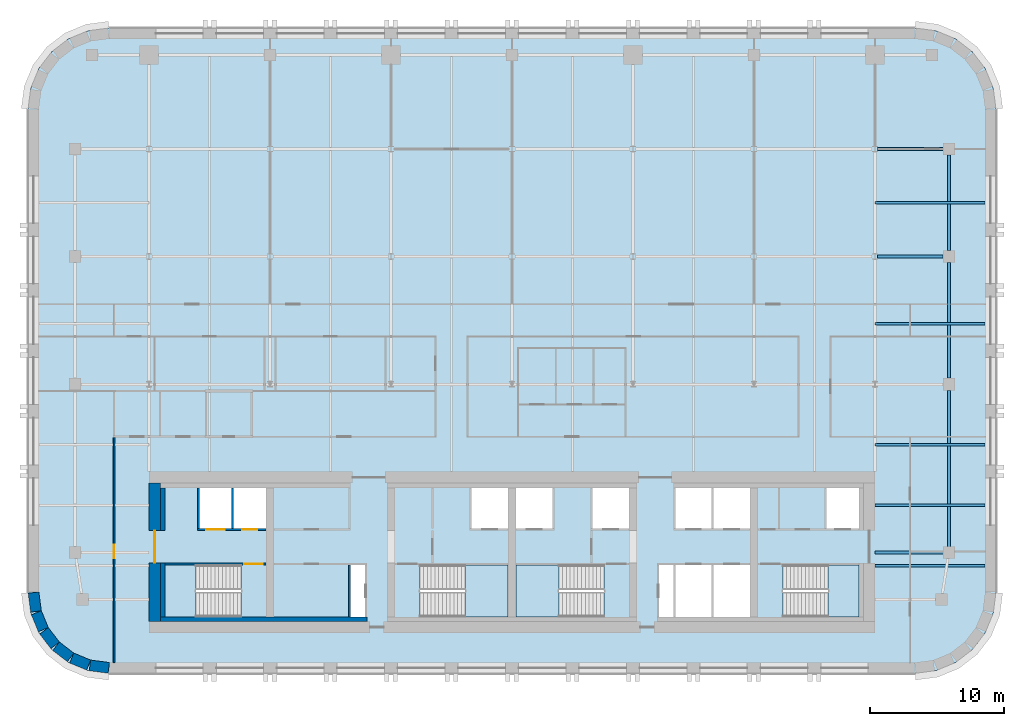
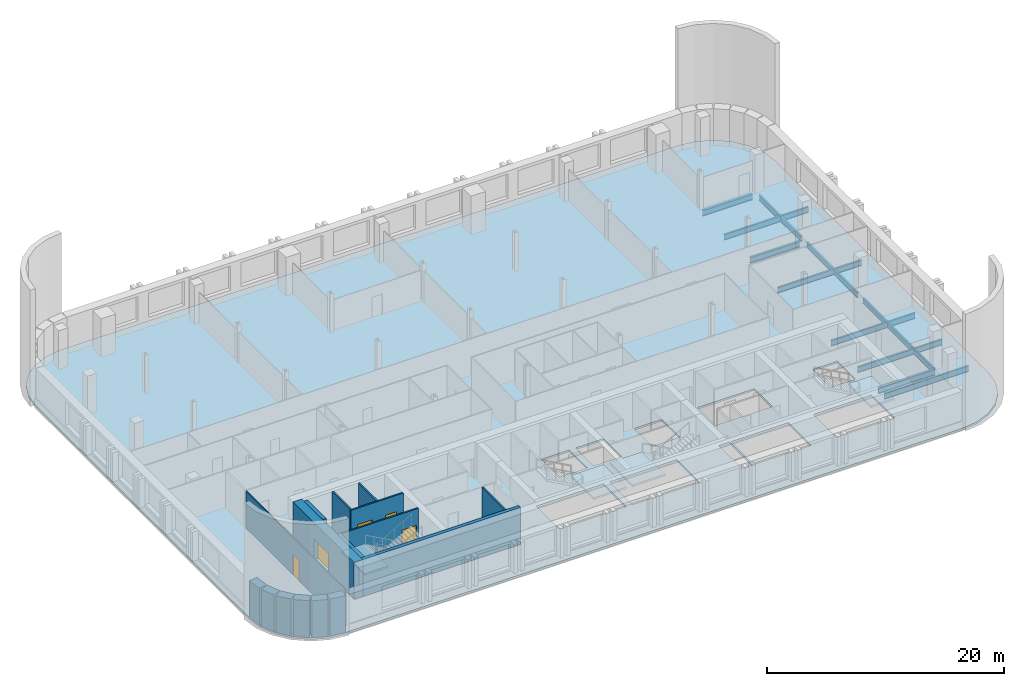
# One storey, part 2 of 9: 16 walls, 11 beams, 5 doors, 5 slabs, 5 openings, 4 elements without a shape of their own.
"""IFC4 building model written with IfcOpenShell, lengths in metres."""

import ifcopenshell
import ifcopenshell.guid

model = None  # the IFC model being written
_history = None  # IfcOwnerHistory: only IFC2X3 demands one
_inside = {}  # id of a spatial element -> (the spatial element, [elements in it])
_under = {}  # id of a project, library or spatial element -> (it, [spatial elements below it])
_declared = {}  # id of a project -> (the project, [libraries it declares])
_typed = {}  # id of a type object -> (the type object, [elements of that type])
_made_of = {}  # id of a material, layer set ... -> (it, [elements and type objects made of it])


def new_model(schema):
    """Start an empty IFC model of exactly this schema.

    Asked for "IFC4X3", IfcOpenShell would pick the latest addendum, in which some entities
    have other attributes; the version numbers below select the first issue.
    IFC2X3 requires an IfcOwnerHistory on every rooted entity: one is made here for all.
    """
    global model, _history
    if schema == "IFC4X3":
        model = ifcopenshell.file(schema_version=(4, 3, 0, 0))
    else:
        model = ifcopenshell.file(schema=schema)
    _inside.clear()
    _under.clear()
    _declared.clear()
    _typed.clear()
    _made_of.clear()
    _history = None
    if model.schema == "IFC2X3":
        org = make("IfcOrganization", Name="unknown")
        user = make(
            "IfcPersonAndOrganization",
            ThePerson=make("IfcPerson", FamilyName="unknown"),
            TheOrganization=org,
        )
        app = make(
            "IfcApplication",
            ApplicationDeveloper=org,
            Version="unknown",
            ApplicationFullName="unknown",
            ApplicationIdentifier="unknown",
        )
        _history = make(
            "IfcOwnerHistory",
            OwningUser=user,
            OwningApplication=app,
            ChangeAction="ADDED",
            CreationDate=0,
        )
    return model


def make(cls, **values):
    """One entity of the class cls with the attributes given. An attribute that is None is left unset."""
    return model.create_entity(
        cls, **{name: value for name, value in values.items() if value is not None}
    )


def rooted(cls, **values):
    """An entity with a GlobalId (a new one), such as an element, a storey or a relation."""
    return make(cls, GlobalId=ifcopenshell.guid.new(), OwnerHistory=_history, **values)


def si_unit(unit_type, name, prefix=None):
    """IfcSIUnit, for example si_unit("LENGTHUNIT", "METRE", prefix="MILLI")."""
    return make("IfcSIUnit", UnitType=unit_type, Prefix=prefix, Name=name)


def assignment(units):
    """IfcUnitAssignment: the units of a project."""
    return None if units is None else make("IfcUnitAssignment", Units=units)


def point(xyz):
    """IfcCartesianPoint."""
    return None if xyz is None else make("IfcCartesianPoint", Coordinates=xyz)


def direction(xyz):
    """IfcDirection."""
    return None if xyz is None else make("IfcDirection", DirectionRatios=xyz)


def frame(location, z_axis=None, x_axis=None):
    """IfcAxis2Placement3D, a coordinate frame: its origin and axes. An axis left out is left unset."""
    return make(
        "IfcAxis2Placement3D",
        Location=point(location),
        Axis=direction(z_axis),
        RefDirection=direction(x_axis),
    )


def frame_2d(location, x_axis=None):
    """IfcAxis2Placement2D, a coordinate frame in the plane: its origin and x axis."""
    return make(
        "IfcAxis2Placement2D", Location=point(location), RefDirection=direction(x_axis)
    )


def origin():
    """The frame at (0, 0, 0) with its axes left unset."""
    return frame((0.0, 0.0, 0.0))


def origin_2d():
    """The frame at (0, 0) in the plane with its x axis left unset."""
    return frame_2d((0.0, 0.0))


def place(relative_to, where):
    """IfcLocalPlacement: puts the frame where relative to a parent placement (None: the world)."""
    return make(
        "IfcLocalPlacement", PlacementRelTo=relative_to, RelativePlacement=where
    )


def context(
    kind, dimensions, precision=None, world=None, true_north=None, identifier=None
):
    """IfcGeometricRepresentationContext, for example the 3D "Model" context."""
    return make(
        "IfcGeometricRepresentationContext",
        ContextIdentifier=identifier,
        ContextType=kind,
        CoordinateSpaceDimension=dimensions,
        Precision=precision,
        WorldCoordinateSystem=world,
        TrueNorth=true_north,
    )


def subcontext(parent, identifier, kind, view, scale=None):
    """IfcGeometricRepresentationSubContext, for example "Body" below "Model"."""
    return make(
        "IfcGeometricRepresentationSubContext",
        ContextIdentifier=identifier,
        ContextType=kind,
        ParentContext=parent,
        TargetScale=scale,
        TargetView=view,
    )


def project(units=None, contexts=None):
    """IfcProject with its units and contexts."""
    return rooted(
        "IfcProject",
        Name="project",
        RepresentationContexts=contexts,
        UnitsInContext=assignment(units),
    )


def spatial(cls, under=None, at=None, **own):
    """A site, building, storey or space (cls), placed at a placement, below another one or the project."""
    s = rooted(cls, ObjectPlacement=at, **own)
    if under is not None:
        _under.setdefault(under.id(), (under, []))[1].append(s)
    return s


def polyline(points):
    """IfcPolyline through the points."""
    return make("IfcPolyline", Points=[point(p) for p in points])


def profile(cls, at=None, kind="AREA", **sizes):
    """A parametric profile (cls). Its sizes go by their IFC names, for example OverallWidth=200.0."""
    return make(cls, ProfileType=kind, Position=at, **sizes)


def rectangle(**sizes):
    """IfcRectangleProfileDef."""
    return profile("IfcRectangleProfileDef", **sizes)


def i_section(**sizes):
    """IfcIShapeProfileDef."""
    return profile("IfcIShapeProfileDef", **sizes)


def outline(outer, holes=None, kind="AREA"):
    """IfcArbitraryClosedProfileDef: a profile drawn as a closed curve; with holes, ...WithVoids."""
    if holes is None:
        return make("IfcArbitraryClosedProfileDef", ProfileType=kind, OuterCurve=outer)
    return make(
        "IfcArbitraryProfileDefWithVoids",
        ProfileType=kind,
        OuterCurve=outer,
        InnerCurves=holes,
    )


def extrude(swept, where, along, depth):
    """IfcExtrudedAreaSolid: the profile swept, set in the frame where, extruded along a direction by depth."""
    return make(
        "IfcExtrudedAreaSolid",
        SweptArea=swept,
        Position=where,
        ExtrudedDirection=direction(along),
        Depth=depth,
    )


def shape(context_of_items, identifier, shape_type, items):
    """IfcShapeRepresentation: the items that make up one representation, for example the "Body"."""
    return make(
        "IfcShapeRepresentation",
        ContextOfItems=context_of_items,
        RepresentationIdentifier=identifier,
        RepresentationType=shape_type,
        Items=items,
    )


def material(Name=None, Category=None):
    """IfcMaterial."""
    return make("IfcMaterial", Name=Name, Category=Category)


def layer(
    of_material, thickness, ventilated=None, Name=None, Category=None, Priority=None
):
    """IfcMaterialLayer: one layer of a wall or slab, of a material (None: an air gap)."""
    return make(
        "IfcMaterialLayer",
        Material=of_material,
        LayerThickness=thickness,
        IsVentilated=ventilated,
        Name=Name,
        Category=Category,
        Priority=Priority,
    )


def layer_set(layers, Name=None):
    """IfcMaterialLayerSet."""
    return make("IfcMaterialLayerSet", MaterialLayers=layers, LayerSetName=Name)


def material_profile(
    of_material, cross_section, Name=None, Category=None, Priority=None
):
    """IfcMaterialProfile: a cross section and its material."""
    return make(
        "IfcMaterialProfile",
        Name=Name,
        Material=of_material,
        Profile=cross_section,
        Priority=Priority,
        Category=Category,
    )


def profile_set(profiles, Name=None, composite=None):
    """IfcMaterialProfileSet."""
    return make(
        "IfcMaterialProfileSet",
        Name=Name,
        MaterialProfiles=profiles,
        CompositeProfile=composite,
    )


def made_of(thing, what):
    """Note that an element or type object is made of a material, layer set ...; save() writes the relation."""
    if what is not None:
        _made_of.setdefault(what.id(), (what, []))[1].append(thing)
    return thing


def type_object(cls, material=None, **own):
    """A type object (cls), such as IfcWallType, which elements share."""
    return made_of(rooted(cls, **own), material)


def element(
    cls,
    number,
    at=None,
    inside=None,
    cuts=None,
    type_object=None,
    material=None,
    context=None,
    identifier="Body",
    shape_type=None,
    held_by="IfcProductDefinitionShape",
    body=None,
    shapes=None,
    **own,
):
    """One element of the class cls, such as IfcWall. Its Tag is "e" and its number.

    at: its placement. inside: the storey or other place that contains it. cuts: it is an
    opening in that element (IfcRelVoidsElement). A single representation is given by context,
    identifier, shape_type and body (its items); several are given by shapes. held_by: the class
    of the entity that holds the representations. save() writes the other relations.
    """
    e = rooted(cls, Tag="e%d" % number, ObjectPlacement=at, **own)
    if body is not None:
        shapes = [shape(context, identifier, shape_type, body)]
    if shapes is not None:
        e.Representation = make(held_by, Representations=shapes)
    if inside is not None:
        _inside.setdefault(inside.id(), (inside, []))[1].append(e)
    if cuts is not None:
        rooted(
            "IfcRelVoidsElement", RelatingBuildingElement=cuts, RelatedOpeningElement=e
        )
    if type_object is not None:
        _typed.setdefault(type_object.id(), (type_object, []))[1].append(e)
    return made_of(e, material)


def fill(opening, filler):
    """IfcRelFillsElement: the door or window that sits in an opening."""
    return rooted(
        "IfcRelFillsElement",
        RelatingOpeningElement=opening,
        RelatedBuildingElement=filler,
    )


def aggregate(whole, parts):
    """IfcRelAggregates: a whole, such as a stair, and the parts it consists of."""
    return rooted("IfcRelAggregates", RelatingObject=whole, RelatedObjects=parts)


def save(model, path):
    """Write the relations noted so far, then the file.

    IfcRelAggregates (storeys below a building ...), IfcRelContainedInSpatialStructure (elements
    in a storey), IfcRelDefinesByType, IfcRelAssociatesMaterial and IfcRelDeclares: one each for
    every whole, place, type object, material and project.
    """
    for whole, parts in _under.values():
        aggregate(whole, parts)
    for where, things in _inside.values():
        rooted(
            "IfcRelContainedInSpatialStructure",
            RelatedElements=things,
            RelatingStructure=where,
        )
    for kind, things in _typed.values():
        rooted("IfcRelDefinesByType", RelatedObjects=things, RelatingType=kind)
    for what, things in _made_of.values():
        rooted("IfcRelAssociatesMaterial", RelatedObjects=things, RelatingMaterial=what)
    for by, libraries in _declared.values():
        rooted("IfcRelDeclares", RelatingContext=by, RelatedDefinitions=libraries)
    model.write(path)


model = new_model("IFC4")

# Units and contexts
model_context = context("Model", 3, precision=1e-05, world=origin(), true_north=direction((0.0, 1.0)))
body_context = subcontext(model_context, "Body", "Model", "MODEL_VIEW")
ifc_project = project(units=[si_unit("LENGTHUNIT", "METRE"), si_unit("AREAUNIT", "SQUARE_METRE"), si_unit("VOLUMEUNIT", "CUBIC_METRE"), si_unit("PLANEANGLEUNIT", "RADIAN"), si_unit("MASSUNIT", "GRAM", prefix="KILO")], contexts=[model_context])

# Site, building, storey
site_placement = place(None, origin())
site = spatial("IfcSite", under=ifc_project, at=site_placement, CompositionType="ELEMENT")
building_placement = place(site_placement, origin())
building = spatial("IfcBuilding", under=site, at=building_placement, Name="Zellij Exchange Tower", CompositionType="ELEMENT")
storey_placement = place(building_placement, frame((0.0, 0.0, 200.5)))
storey = spatial("IfcBuildingStorey", under=building, at=storey_placement, Name="L46", CompositionType="ELEMENT", Elevation=200.5)

# Beams
ifc_material_1 = material(Name="Structural steel ASTM A992 Gr 50", Category="steel")
ifc_material_profile_1 = material_profile(ifc_material_1, i_section(OverallWidth=0.177978515625, OverallDepth=0.599365234375, WebThickness=0.010009765625, FlangeThickness=0.012939453125, at=origin_2d()), Name="W24x55")
ifc_profile_set_1 = profile_set([ifc_material_profile_1], Name="Structural steel ASTM A992 Gr 50")
beam_type_1 = type_object("IfcBeamType", Name="STR-BEAM W24x55", PredefinedType="BEAM", material=ifc_profile_set_1)
for number, where, z_axis, x_axis, name in (
    (1, (27.0, -9.0, -0.499755859375), (1.0, 0.0, 0.0), (0.0, 1.0, 0.0), "B4"),
    (2, (27.0, -4.5, -0.499755859375), (1.0, 0.0, 0.0), (0.0, 1.0, 0.0), "B4"),
    (3, (27.0, 0.0, -0.499755859375), (1.0, 0.0, 0.0), (0.0, 1.0, 0.0), "B4"),
    (4, (27.0, 9.0, -0.499755859375), (1.0, 0.0, 0.0), (0.0, 1.0, 0.0), "B4"),
    (5, (27.0, 18.0, -0.499755859375), (1.0, 0.0, 0.0), (0.0, 1.0, 0.0), "B4"),
):
    element("IfcBeam", number, at=place(storey_placement, frame(where, z_axis=z_axis, x_axis=x_axis)), inside=storey, type_object=beam_type_1, Name=name, PredefinedType="BEAM", context=body_context, shape_type="SweptSolid", body=[
        extrude(i_section(OverallWidth=0.177978515625, OverallDepth=0.599365234375, WebThickness=0.010009765625, FlangeThickness=0.012939453125, at=origin_2d()), origin(), (0.0, 0.0, 1.0), 8.199951171875),
    ])
ifc_material_profile_2 = material_profile(ifc_material_1, i_section(OverallWidth=0.209228515625, OverallDepth=0.533447265625, WebThickness=0.01025390625, FlangeThickness=0.015625, at=origin_2d()), Name="W21x62")
ifc_profile_set_2 = profile_set([ifc_material_profile_2], Name="Structural steel ASTM A992 Gr 50")
beam_type_2 = type_object("IfcBeamType", Name="STR-EDGE GIRDER W21x62", PredefinedType="BEAM", material=ifc_profile_set_2)
beam_1_placement = place(storey_placement, frame((32.5, -8.0, -0.466796875), z_axis=(0.0, 1.0, 0.0), x_axis=(-1.0, 0.0, 0.0)))
element("IfcBeam", 6, at=beam_1_placement, inside=storey, type_object=beam_type_2, Name="EB3", PredefinedType="BEAM", context=body_context, shape_type="SweptSolid", body=[
    extrude(i_section(OverallWidth=0.209228515625, OverallDepth=0.533447265625, WebThickness=0.01025390625, FlangeThickness=0.015625, at=origin_2d()), origin(), (0.0, 0.0, 1.0), 12.050048828125),
])
beam_2_placement = place(storey_placement, frame((32.5, 4.949951171875, -0.466796875), z_axis=(0.0, 1.0, 0.0), x_axis=(-1.0, 0.0, 0.0)))
element("IfcBeam", 7, at=beam_2_placement, inside=storey, type_object=beam_type_2, Name="EB3", PredefinedType="BEAM", context=body_context, shape_type="SweptSolid", body=[
    extrude(i_section(OverallWidth=0.209228515625, OverallDepth=0.533447265625, WebThickness=0.01025390625, FlangeThickness=0.015625, at=origin_2d()), origin(), (0.0, 0.0, 1.0), 8.60009765625),
])
beam_3_placement = place(storey_placement, frame((32.5, 14.449951171875, -0.466796875), z_axis=(0.0, 1.0, 0.0), x_axis=(-1.0, 0.0, 0.0)))
element("IfcBeam", 8, at=beam_3_placement, inside=storey, type_object=beam_type_2, Name="EB3", PredefinedType="BEAM", context=body_context, shape_type="SweptSolid", body=[
    extrude(i_section(OverallWidth=0.209228515625, OverallDepth=0.533447265625, WebThickness=0.01025390625, FlangeThickness=0.015625, at=origin_2d()), origin(), (0.0, 0.0, 1.0), 7.10009765625),
])
ifc_material_profile_3 = material_profile(ifc_material_1, i_section(OverallWidth=0.228271484375, OverallDepth=0.607177734375, WebThickness=0.01123046875, FlangeThickness=0.017333984375, at=origin_2d()), Name="W24x76")
ifc_profile_set_3 = profile_set([ifc_material_profile_3], Name="Structural steel ASTM A992 Gr 50")
beam_type_3 = type_object("IfcBeamType", Name="STR-GIRDER W24x76", PredefinedType="BEAM", material=ifc_profile_set_3)
beam_4_placement = place(storey_placement, frame((27.0, -8.0, -0.50341796875), z_axis=(1.0, 0.0, 0.0), x_axis=(0.0, 1.0, 0.0)))
element("IfcBeam", 9, at=beam_4_placement, inside=storey, type_object=beam_type_3, Name="G2", PredefinedType="BEAM", context=body_context, shape_type="SweptSolid", body=[
    extrude(i_section(OverallWidth=0.228271484375, OverallDepth=0.607177734375, WebThickness=0.01123046875, FlangeThickness=0.017333984375, at=origin_2d()), origin(), (0.0, 0.0, 1.0), 5.5),
])
for number, where, z_axis, x_axis, name in (
    (10, (27.20458984375, 14.0, -0.50341796875), (1.0, 0.0, 0.0), (0.0, 1.0, 0.0), "G2"),
    (11, (27.20458984375, 22.0, -0.50341796875), (1.0, 0.0, 0.0), (0.0, 1.0, 0.0), "G2"),
):
    element("IfcBeam", number, at=place(storey_placement, frame(where, z_axis=z_axis, x_axis=x_axis)), inside=storey, type_object=beam_type_3, Name=name, PredefinedType="BEAM", context=body_context, shape_type="SweptSolid", body=[
        extrude(i_section(OverallWidth=0.228271484375, OverallDepth=0.607177734375, WebThickness=0.01123046875, FlangeThickness=0.017333984375, at=origin_2d()), origin(), (0.0, 0.0, 1.0), 4.845458984375),
    ])

# Stair, slab
ifc_material_2 = material(Name="Concrete C40/50", Category="concrete")
stair_type = type_object("IfcStairType", Name="CORE-ST exit stair 1850 wide", PredefinedType="HALF_TURN_STAIR", material=ifc_material_2)
stair_1_placement = place(storey_placement, origin())
stair_1 = element("IfcStair", 12, at=stair_1_placement, inside=storey, type_object=stair_type, Name="L46 exit stair ST1", PredefinedType="HALF_TURN_STAIR")
ifc_layer_1 = layer(ifc_material_2, 0.199951171875)
ifc_layer_set_1 = layer_set([ifc_layer_1], Name="Concrete C40/50")
slab_type_1 = type_object("IfcSlabType", Name="CORE-SL stair landing 200", PredefinedType="LANDING", material=ifc_layer_set_1)
slab_1_placement = place(storey_placement, frame((0.0, 0.0, 1.800048828125)))
slab_1 = element("IfcSlab", 13, at=slab_1_placement, type_object=slab_type_1, Name="ST1 landing 1", PredefinedType="LANDING", context=body_context, shape_type="SweptSolid", body=[
    extrude(outline(polyline([(-23.510009765625, -8.949951171875), (-25.800048828125, -8.949951171875), (-25.800048828125, -12.800048828125), (-23.510009765625, -12.800048828125), (-23.510009765625, -8.949951171875)])), origin(), (0.0, 0.0, 1.0), 0.199951171875),
])
aggregate(stair_1, [slab_1])

stair_2_placement = place(storey_placement, origin())
stair_2 = element("IfcStair", 14, at=stair_2_placement, inside=storey, type_object=stair_type, Name="L46 exit stair ST2", PredefinedType="HALF_TURN_STAIR")
slab_2_placement = place(storey_placement, frame((0.0, 0.0, 1.800048828125)))
slab_2 = element("IfcSlab", 15, at=slab_2_placement, type_object=slab_type_1, Name="ST2 landing 1", PredefinedType="LANDING", context=body_context, shape_type="SweptSolid", body=[
    extrude(outline(polyline([(-3.489990234375, -12.800048828125), (-0.300048828125, -12.800048828125), (-0.300048828125, -8.949951171875), (-3.489990234375, -8.949951171875), (-3.489990234375, -12.800048828125)])), origin(), (0.0, 0.0, 1.0), 0.199951171875),
])
aggregate(stair_2, [slab_2])

stair_3_placement = place(storey_placement, origin())
stair_3 = element("IfcStair", 16, at=stair_3_placement, inside=storey, type_object=stair_type, Name="L46 exit stair ST3", PredefinedType="HALF_TURN_STAIR")
slab_3_placement = place(storey_placement, frame((0.0, 0.0, 1.800048828125)))
slab_3 = element("IfcSlab", 17, at=slab_3_placement, type_object=slab_type_1, Name="ST3 landing 1", PredefinedType="LANDING", context=body_context, shape_type="SweptSolid", body=[
    extrude(outline(polyline([(3.489990234375, -8.949951171875), (0.300048828125, -8.949951171875), (0.300048828125, -12.800048828125), (3.489990234375, -12.800048828125), (3.489990234375, -8.949951171875)])), origin(), (0.0, 0.0, 1.0), 0.199951171875),
])
aggregate(stair_3, [slab_3])

stair_4_placement = place(storey_placement, origin())
stair_4 = element("IfcStair", 18, at=stair_4_placement, inside=storey, type_object=stair_type, Name="L46 exit stair ST4", PredefinedType="HALF_TURN_STAIR")
slab_4_placement = place(storey_placement, frame((0.0, 0.0, 1.800048828125)))
slab_4 = element("IfcSlab", 19, at=slab_4_placement, type_object=slab_type_1, Name="ST4 landing 1", PredefinedType="LANDING", context=body_context, shape_type="SweptSolid", body=[
    extrude(outline(polyline([(23.510009765625, -12.800048828125), (25.800048828125, -12.800048828125), (25.800048828125, -8.949951171875), (23.510009765625, -8.949951171875), (23.510009765625, -12.800048828125)])), origin(), (0.0, 0.0, 1.0), 0.199951171875),
])
aggregate(stair_4, [slab_4])

# Slab
ifc_layer_2 = layer(ifc_material_2, 0.199951171875)
ifc_layer_set_2 = layer_set([ifc_layer_2], Name="Concrete C40/50")
slab_type_2 = type_object("IfcSlabType", Name="STR-FLOOR SLAB 200 C40/50", PredefinedType="FLOOR", material=ifc_layer_set_2)
slab_5_placement = place(storey_placement, frame((0.0, 0.0, -0.2001953125)))
element("IfcSlab", 20, at=slab_5_placement, inside=storey, type_object=slab_type_2, Name="Floor L46", PredefinedType="FLOOR", context=body_context, shape_type="SweptSolid", body=[
    extrude(outline(polyline([(-30.0, -17.0), (-31.552978515625, -16.795654296875), (-33.0, -16.1962890625), (-34.24267578125, -15.24267578125), (-35.1962890625, -14.0), (-35.795654296875, -12.552978515625), (-36.0, -11.0), (-36.0, 25.0), (-35.795654296875, 26.552978515625), (-35.1962890625, 28.0), (-34.24267578125, 29.24267578125), (-33.0, 30.1962890625), (-31.552978515625, 30.795654296875), (-30.0, 31.0), (30.0, 31.0), (31.552978515625, 30.795654296875), (33.0, 30.1962890625), (34.24267578125, 29.24267578125), (35.1962890625, 28.0), (35.795654296875, 26.552978515625), (36.0, 25.0), (36.0, -11.0), (35.795654296875, -12.552978515625), (35.1962890625, -14.0), (34.24267578125, -15.24267578125), (33.0, -16.1962890625), (31.552978515625, -16.795654296875), (30.0, -17.0), (-30.0, -17.0)]), holes=[polyline([(-25.800048828125, -8.949951171875), (-25.800048828125, -12.800048828125), (-20.153076171875, -12.800048828125), (-20.153076171875, -8.949951171875), (-25.800048828125, -8.949951171875)]), polyline([(-10.949951171875, -8.949951171875), (-12.0, -8.949951171875), (-12.0, -12.800048828125), (-10.949951171875, -12.800048828125), (-10.949951171875, -8.949951171875)]), polyline([(-0.300048828125, -8.949951171875), (-6.846923828125, -8.949951171875), (-6.846923828125, -12.800048828125), (-0.300048828125, -12.800048828125), (-0.300048828125, -8.949951171875)]), polyline([(0.300048828125, -8.949951171875), (0.300048828125, -12.800048828125), (6.846923828125, -12.800048828125), (6.846923828125, -8.949951171875), (0.300048828125, -8.949951171875)]), polyline([(-18.300048828125, -3.199951171875), (-23.25, -3.199951171875), (-23.25, -6.22509765625), (-18.300048828125, -6.22509765625), (-18.300048828125, -3.199951171875)]), polyline([(-0.300048828125, -3.199951171875), (-3.0, -3.199951171875), (-3.0, -6.22509765625), (-0.300048828125, -6.22509765625), (-0.300048828125, -3.199951171875)]), polyline([(0.300048828125, -3.199951171875), (0.300048828125, -6.22509765625), (3.0, -6.22509765625), (3.0, -3.199951171875), (0.300048828125, -3.199951171875)]), polyline([(12.0, -8.949951171875), (10.949951171875, -8.949951171875), (10.949951171875, -12.800048828125), (12.0, -12.800048828125), (12.0, -8.949951171875)]), polyline([(17.699951171875, -8.949951171875), (12.14990234375, -8.949951171875), (12.14990234375, -12.800048828125), (17.699951171875, -12.800048828125), (17.699951171875, -8.949951171875)]), polyline([(25.800048828125, -8.949951171875), (20.153076171875, -8.949951171875), (20.153076171875, -12.800048828125), (25.800048828125, -12.800048828125), (25.800048828125, -8.949951171875)]), polyline([(8.699951171875, -3.199951171875), (6.0, -3.199951171875), (6.0, -6.22509765625), (8.699951171875, -6.22509765625), (8.699951171875, -3.199951171875)]), polyline([(17.699951171875, -3.199951171875), (12.14990234375, -3.199951171875), (12.14990234375, -6.22509765625), (17.699951171875, -6.22509765625), (17.699951171875, -3.199951171875)]), polyline([(25.800048828125, -3.199951171875), (23.39990234375, -3.199951171875), (23.39990234375, -6.22509765625), (25.800048828125, -6.22509765625), (25.800048828125, -3.199951171875)])]), origin(), (0.0, 0.0, 1.0), 0.2001953125),
])

# Walls
ifc_material_3 = material(Name="Concrete C30/37", Category="concrete")
ifc_layer_3 = layer(ifc_material_3, 0.35009765625)
ifc_layer_set_3 = layer_set([ifc_layer_3], Name="Concrete C30/37")
wall_type_1 = type_object("IfcWallType", Name="CORE-LW 350 C30/37", PredefinedType="SHEAR", material=ifc_layer_set_3)
wall_1_placement = place(storey_placement, frame((-26.14990234375, -12.97509765625, 0.0), z_axis=(0.0, 0.0, 1.0), x_axis=(1.0, 0.0, 0.0)))
element("IfcWall", 21, at=wall_1_placement, inside=storey, type_object=wall_type_1, Name="Core wall lining rear.0 L46", PredefinedType="SHEAR", context=body_context, shape_type="SweptSolid", body=[
    extrude(rectangle(XDim=15.349853515625, YDim=0.35009765625, at=frame_2d((7.6748046875, 0.0))), origin(), (0.0, 0.0, 1.0), 3.800048828125),
])
wall_2_placement = place(storey_placement, frame((-25.97509765625, -12.800048828125, 0.0), z_axis=(0.0, 0.0, 1.0), x_axis=(0.0, 1.0, 0.0)))
element("IfcWall", 22, at=wall_2_placement, inside=storey, type_object=wall_type_1, Name="Core wall lining end w.0 L46", PredefinedType="SHEAR", context=body_context, shape_type="SweptSolid", body=[
    extrude(rectangle(XDim=4.0, YDim=0.35009765625, at=frame_2d((2.0, 0.0))), origin(), (0.0, 0.0, 1.0), 3.800048828125),
])
wall_3_placement = place(storey_placement, frame((-25.97509765625, -6.375, 0.0), z_axis=(0.0, 0.0, 1.0), x_axis=(0.0, 1.0, 0.0)))
element("IfcWall", 23, at=wall_3_placement, inside=storey, type_object=wall_type_1, Name="Core wall lining end w.1 L46", PredefinedType="SHEAR", context=body_context, shape_type="SweptSolid", body=[
    extrude(rectangle(XDim=3.175048828125, YDim=0.35009765625, at=frame_2d((1.58740234375, 0.0))), origin(), (0.0, 0.0, 1.0), 3.800048828125),
])
ifc_material_4 = material(Name="Gypsum board partition")
ifc_layer_4 = layer(ifc_material_4, 0.14990234375)
ifc_layer_set_4 = layer_set([ifc_layer_4], Name="Gypsum board partition")
wall_type_2 = type_object("IfcWallType", Name="CORE-PW 150 Lift lobby wall", PredefinedType="PARTITIONING", material=ifc_layer_set_4)
wall_4_placement = place(storey_placement, frame((-12.074951171875, -12.800048828125, 0.0), z_axis=(0.0, 0.0, 1.0), x_axis=(0.0, 1.0, 0.0)))
element("IfcWall", 24, at=wall_4_placement, inside=storey, type_object=wall_type_2, Name="Lift lobby wall L46", PredefinedType="PARTITIONING", context=body_context, shape_type="SweptSolid", body=[
    extrude(rectangle(XDim=3.85009765625, YDim=0.14990234375, at=frame_2d((1.925048828125, 0.0))), origin(), (0.0, 0.0, 1.0), 3.800048828125),
])
ifc_material_5 = material(Name="Gypsum shaft wall system")
ifc_layer_5 = layer(ifc_material_5, 0.14990234375)
ifc_layer_set_5 = layer_set([ifc_layer_5], Name="Gypsum shaft wall system")
wall_type_3 = type_object("IfcWallType", Name="CORE-PW 150 Lift shaft wall", PredefinedType="PARTITIONING", material=ifc_layer_set_5)
for number, where, z_axis, x_axis, name in (
    (25, (-20.77490234375, -6.22509765625, 0.0), (0.0, 0.0, 1.0), (0.0, 1.0, 0.0), "Lift shaft wall L46"),
    (26, (-23.324951171875, -6.22509765625, 0.0), (0.0, 0.0, 1.0), (0.0, 1.0, 0.0), "Lift shaft wall L46"),
):
    element("IfcWall", number, at=place(storey_placement, frame(where, z_axis=z_axis, x_axis=x_axis)), inside=storey, type_object=wall_type_3, Name=name, PredefinedType="PARTITIONING", context=body_context, shape_type="SweptSolid", body=[
        extrude(rectangle(XDim=3.025146484375, YDim=0.14990234375, at=frame_2d((1.5126953125, 0.0))), origin(), (0.0, 0.0, 1.0), 3.800048828125),
    ])

# Wall, openings, doors
wall_5_placement = place(storey_placement, frame((-23.39990234375, -6.300048828125, 0.0), z_axis=(0.0, 0.0, 1.0), x_axis=(1.0, 0.0, 0.0)))
wall_5 = element("IfcWall", 27, at=wall_5_placement, inside=storey, type_object=wall_type_3, Name="Lift shaft wall L46", PredefinedType="PARTITIONING", context=body_context, shape_type="SweptSolid", body=[
    extrude(rectangle(XDim=5.099853515625, YDim=0.14990234375, at=frame_2d((2.5498046875, 0.0))), origin(), (0.0, 0.0, 1.0), 3.800048828125),
])
opening_1_placement = place(wall_5_placement, frame((0.64990234375, 0.0, 0.0)))
opening_1 = element("IfcOpeningElement", 28, at=opening_1_placement, cuts=wall_5, Name="Opening CA-24.02", PredefinedType="OPENING", context=body_context, shape_type="SweptSolid", body=[
    extrude(rectangle(XDim=1.39990234375, YDim=2.10009765625, at=frame_2d((0.699951171875, 1.050048828125))), frame((0.0, 0.0869140625, 0.0), z_axis=(0.0, -1.0, 0.0), x_axis=(1.0, 0.0, 0.0)), (0.0, 0.0, 1.0), 0.173828125),
])
opening_2_placement = place(wall_5_placement, frame((3.35009765625, 0.0, 0.0)))
opening_2 = element("IfcOpeningElement", 29, at=opening_2_placement, cuts=wall_5, Name="Opening CA-24.03", PredefinedType="OPENING", context=body_context, shape_type="SweptSolid", body=[
    extrude(rectangle(XDim=1.10009765625, YDim=2.10009765625, at=frame_2d((0.550048828125, 1.050048828125))), frame((0.0, 0.0869140625, 0.0), z_axis=(0.0, -1.0, 0.0), x_axis=(1.0, 0.0, 0.0)), (0.0, 0.0, 1.0), 0.173828125),
])
ifc_material_6 = material(Name="Hollow metal fire door")
door_type_1 = type_object("IfcDoorType", Name="CORE-D LD Lift landing door 1100x2100 1.5 HR", OperationType="NOTDEFINED", PredefinedType="DOOR", material=ifc_material_6)
door_1_placement = place(opening_2_placement, origin())
door_1 = element("IfcDoor", 30, at=door_1_placement, inside=storey, type_object=door_type_1, Name="Lift landing door CA-24.03", OperationType="SLIDING_TO_LEFT", OverallHeight=2.10009765625, OverallWidth=1.10009765625, PredefinedType="DOOR", context=body_context, shape_type="SweptSolid", body=[
    extrude(rectangle(XDim=1.10009765625, YDim=2.10009765625, at=frame_2d((0.550048828125, 1.050048828125))), frame((0.0, 0.02490234375, 0.0), z_axis=(0.0, -1.0, 0.0), x_axis=(1.0, 0.0, 0.0)), (0.0, 0.0, 1.0), 0.050048828125),
])
fill(opening_2, door_1)
door_type_2 = type_object("IfcDoorType", Name="CORE-D LD2 Service lift landing door 1400x2100 1.5 HR", OperationType="NOTDEFINED", PredefinedType="DOOR", material=ifc_material_6)
door_2_placement = place(opening_1_placement, origin())
door_2 = element("IfcDoor", 31, at=door_2_placement, inside=storey, type_object=door_type_2, Name="Service lift landing door CA-24.02", OperationType="SLIDING_TO_RIGHT", OverallHeight=2.10009765625, OverallWidth=1.39990234375, PredefinedType="DOOR", context=body_context, shape_type="SweptSolid", body=[
    extrude(rectangle(XDim=1.39990234375, YDim=2.10009765625, at=frame_2d((0.699951171875, 1.050048828125))), frame((0.0, 0.02490234375, 0.0), z_axis=(0.0, -1.0, 0.0), x_axis=(1.0, 0.0, 0.0)), (0.0, 0.0, 1.0), 0.050048828125),
])
fill(opening_1, door_2)

# Wall, opening, door
ifc_material_7 = material(Name="Concrete C60/75", Category="concrete")
ifc_layer_6 = layer(ifc_material_7, 0.85009765625)
ifc_layer_set_6 = layer_set([ifc_layer_6], Name="Concrete C60/75")
wall_type_4 = type_object("IfcWallType", Name="CORE-SW 850 C60/75", PredefinedType="SHEAR", material=ifc_layer_set_6)
wall_6_placement = place(storey_placement, frame((-26.574951171875, -13.14990234375, 0.0), z_axis=(0.0, 0.0, 1.0), x_axis=(0.0, 1.0, 0.0)))
wall_6 = element("IfcWall", 32, at=wall_6_placement, inside=storey, type_object=wall_type_4, Name="Core shear wall end w L46", PredefinedType="SHEAR", context=body_context, shape_type="SweptSolid", body=[
    extrude(rectangle(XDim=10.2998046875, YDim=0.85009765625, at=frame_2d((5.14990234375, 0.0))), origin(), (0.0, 0.0, 1.0), 3.800048828125),
])
opening_3_placement = place(wall_6_placement, frame((4.362060546875, 0.0, 0.0)))
opening_3 = element("IfcOpeningElement", 33, at=opening_3_placement, cuts=wall_6, Name="Opening CA-24.01", PredefinedType="OPENING", context=body_context, shape_type="SweptSolid", body=[
    extrude(rectangle(XDim=2.39990234375, YDim=2.10009765625, at=frame_2d((1.199951171875, 1.050048828125))), frame((0.0, 0.43701171875, 0.0), z_axis=(0.0, -1.0, 0.0), x_axis=(1.0, 0.0, 0.0)), (0.0, 0.0, 1.0), 0.8740234375),
])
door_type_3 = type_object("IfcDoorType", Name="CORE-D CE Core entrance door 2400x2100 20 MIN", OperationType="NOTDEFINED", PredefinedType="DOOR", material=ifc_material_6)
door_3_placement = place(opening_3_placement, origin())
door_3 = element("IfcDoor", 34, at=door_3_placement, inside=storey, type_object=door_type_3, Name="Core entrance door CA-24.01", OperationType="DOUBLE_DOOR_SINGLE_SWING", OverallHeight=2.10009765625, OverallWidth=2.39990234375, PredefinedType="DOOR", context=body_context, shape_type="SweptSolid", body=[
    extrude(rectangle(XDim=2.39990234375, YDim=2.10009765625, at=frame_2d((1.199951171875, 1.050048828125))), frame((0.0, 0.02490234375, 0.0), z_axis=(0.0, -1.0, 0.0), x_axis=(1.0, 0.0, 0.0)), (0.0, 0.0, 1.0), 0.050048828125),
])
fill(opening_3, door_3)

ifc_layer_7 = layer(ifc_material_7, 0.14990234375)
ifc_layer_set_7 = layer_set([ifc_layer_7], Name="Concrete C60/75")
wall_type_5 = type_object("IfcWallType", Name="CORE-SWS 150 C60/75", PredefinedType="SHEAR", material=ifc_layer_set_7)
wall_7_placement = place(storey_placement, frame((-25.800048828125, -8.875, 0.0), z_axis=(0.0, 0.0, 1.0), x_axis=(1.0, 0.0, 0.0)))
wall_7 = element("IfcWall", 35, at=wall_7_placement, inside=storey, type_object=wall_type_5, Name="Stair enclosure wall L46", PredefinedType="SHEAR", context=body_context, shape_type="SweptSolid", body=[
    extrude(rectangle(XDim=7.5, YDim=0.14990234375, at=frame_2d((3.75, 0.0))), origin(), (0.0, 0.0, 1.0), 3.800048828125),
])
opening_4_placement = place(wall_7_placement, frame((5.875, 0.0, 0.0)))
opening_4 = element("IfcOpeningElement", 36, at=opening_4_placement, cuts=wall_7, Name="Opening CA-24.04", PredefinedType="OPENING", context=body_context, shape_type="SweptSolid", body=[
    extrude(rectangle(XDim=1.39990234375, YDim=2.10009765625, at=frame_2d((0.699951171875, 1.050048828125))), frame((0.0, 0.0869140625, 0.0), z_axis=(0.0, -1.0, 0.0), x_axis=(1.0, 0.0, 0.0)), (0.0, 0.0, 1.0), 0.173828125),
])
door_type_4 = type_object("IfcDoorType", Name="CORE-D SD Stair door 1400x2100 1.5 HR", OperationType="NOTDEFINED", PredefinedType="DOOR", material=ifc_material_6)
door_4_placement = place(opening_4_placement, origin())
door_4 = element("IfcDoor", 37, at=door_4_placement, inside=storey, type_object=door_type_4, Name="Stair door CA-24.04", OperationType="DOUBLE_DOOR_SINGLE_SWING", OverallHeight=2.10009765625, OverallWidth=1.39990234375, PredefinedType="DOOR", context=body_context, shape_type="SweptSolid", body=[
    extrude(rectangle(XDim=1.39990234375, YDim=2.10009765625, at=frame_2d((0.699951171875, 1.050048828125))), frame((0.0, 0.02490234375, 0.0), z_axis=(0.0, -1.0, 0.0), x_axis=(1.0, 0.0, 0.0)), (0.0, 0.0, 1.0), 0.050048828125),
])
fill(opening_4, door_4)

# Walls
ifc_material_8 = material(Name="Precast concrete C40/50", Category="concrete")
ifc_layer_8 = layer(ifc_material_8, 0.800048828125)
ifc_layer_set_8 = layer_set([ifc_layer_8], Name="Precast concrete C40/50")
wall_type_6 = type_object("IfcWallType", Name="ENV-EW1 Precast stone-piered wall 800", PredefinedType="SOLIDWALL", material=ifc_layer_set_8)
wall_8_placement = place(storey_placement, frame((-35.5966796875, -10.999755859375, 0.0), z_axis=(0.0, 0.0, 1.0), x_axis=(0.130517283865, -0.99144603414, 0.0)))
element("IfcWall", 38, at=wall_8_placement, inside=storey, type_object=wall_type_6, Name="fac.L46.22", PredefinedType="SOLIDWALL", context=body_context, shape_type="SweptSolid", body=[
    extrude(rectangle(XDim=1.408447265625, YDim=0.800048828125, at=frame_2d((0.7041015625, 0.0))), origin(), (0.0, 0.0, 1.0), 3.800048828125),
])
wall_9_placement = place(storey_placement, frame((-35.3857421875, -12.497314453125, 0.0), z_axis=(0.0, 0.0, 1.0), x_axis=(0.38276009378, -0.923847774587, 0.0)))
element("IfcWall", 39, at=wall_9_placement, inside=storey, type_object=wall_type_6, Name="fac.L46.23", PredefinedType="SOLIDWALL", context=body_context, shape_type="SweptSolid", body=[
    extrude(rectangle(XDim=1.35546875, YDim=0.800048828125, at=frame_2d((0.677734375, 0.0))), origin(), (0.0, 0.0, 1.0), 3.800048828125),
])
for number, where, z_axis, x_axis, name in (
    (40, (-34.814697265625, -13.840087890625, 0.0), (0.0, 0.0, 1.0), (0.608866226366, -0.793272915452, 0.0), "fac.L46.24"),
    (41, (-33.91552734375, -14.9892578125, 0.0), (0.0, 0.0, 1.0), (0.793272915452, -0.608866226366, 0.0), "fac.L46.25"),
):
    element("IfcWall", number, at=place(storey_placement, frame(where, z_axis=z_axis, x_axis=x_axis)), inside=storey, type_object=wall_type_6, Name=name, PredefinedType="SOLIDWALL", context=body_context, shape_type="SweptSolid", body=[
        extrude(rectangle(XDim=1.355712890625, YDim=0.800048828125, at=frame_2d((0.677734375, 0.0))), origin(), (0.0, 0.0, 1.0), 3.800048828125),
    ])
wall_10_placement = place(storey_placement, frame((-32.74951171875, -15.866943359375, 0.0), z_axis=(0.0, 0.0, 1.0), x_axis=(0.923847774587, -0.38276009378, 0.0)))
element("IfcWall", 42, at=wall_10_placement, inside=storey, type_object=wall_type_6, Name="fac.L46.26", PredefinedType="SOLIDWALL", context=body_context, shape_type="SweptSolid", body=[
    extrude(rectangle(XDim=1.35546875, YDim=0.800048828125, at=frame_2d((0.677734375, 0.0))), origin(), (0.0, 0.0, 1.0), 3.800048828125),
])
wall_11_placement = place(storey_placement, frame((-31.396240234375, -16.412841796875, 0.0), z_axis=(0.0, 0.0, 1.0), x_axis=(0.99144603414, -0.130517283865, 0.0)))
element("IfcWall", 43, at=wall_11_placement, inside=storey, type_object=wall_type_6, Name="fac.L46.27", PredefinedType="SOLIDWALL", context=body_context, shape_type="SweptSolid", body=[
    extrude(rectangle(XDim=1.408447265625, YDim=0.800048828125, at=frame_2d((0.7041015625, 0.0))), origin(), (0.0, 0.0, 1.0), 3.800048828125),
])

# Wall, opening, door
ifc_material_9 = material(Name="Gypsum board partition on steel studs", Category="steel")
ifc_layer_9 = layer(ifc_material_9, 0.10009765625)
ifc_layer_set_9 = layer_set([ifc_layer_9], Name="Gypsum board partition on steel studs")
wall_type_7 = type_object("IfcWallType", Name="FIT-PARTITION-100", PredefinedType="PARTITIONING", material=ifc_layer_set_9)
wall_12_placement = place(storey_placement, frame((-29.60009765625, -16.199951171875, 0.0), z_axis=(0.0, 0.0, 1.0), x_axis=(0.0, 1.0, 0.0)))
wall_12 = element("IfcWall", 44, at=wall_12_placement, inside=storey, type_object=wall_type_7, Name="FIT-PARTITION-100 001", PredefinedType="PARTITIONING", context=body_context, shape_type="SweptSolid", body=[
    extrude(rectangle(XDim=16.724853515625, YDim=0.10009765625, at=frame_2d((8.3623046875, 0.0))), origin(), (0.0, 0.0, 1.0), 3.800048828125),
])
opening_5_placement = place(wall_12_placement, frame((7.75, 0.0, 0.0)))
opening_5 = element("IfcOpeningElement", 45, at=opening_5_placement, cuts=wall_12, Name="Opening O3D.02", PredefinedType="OPENING", context=body_context, shape_type="SweptSolid", body=[
    extrude(rectangle(XDim=1.0, YDim=2.10009765625, at=frame_2d((0.5, 1.050048828125))), frame((0.0, 0.06201171875, 0.0), z_axis=(0.0, -1.0, 0.0), x_axis=(1.0, 0.0, 0.0)), (0.0, 0.0, 1.0), 0.1240234375),
])
ifc_material_10 = material(Name="Timber door set", Category="wood")
door_type_5 = type_object("IfcDoorType", Name="FIT-D2-WIDE-1000X2100", OperationType="SINGLE_SWING_LEFT", PredefinedType="DOOR", material=ifc_material_10)
door_5_placement = place(opening_5_placement, origin())
door_5 = element("IfcDoor", 46, at=door_5_placement, inside=storey, type_object=door_type_5, Name="Door O3D.02", OperationType="SINGLE_SWING_RIGHT", OverallHeight=2.10009765625, OverallWidth=1.0, PredefinedType="DOOR", context=body_context, shape_type="SweptSolid", body=[
    extrude(rectangle(XDim=1.0, YDim=2.10009765625, at=frame_2d((0.5, 1.050048828125))), frame((0.0, 0.02490234375, 0.0), z_axis=(0.0, -1.0, 0.0), x_axis=(1.0, 0.0, 0.0)), (0.0, 0.0, 1.0), 0.050048828125),
])
fill(opening_5, door_5)

save(model, "model.ifc")
